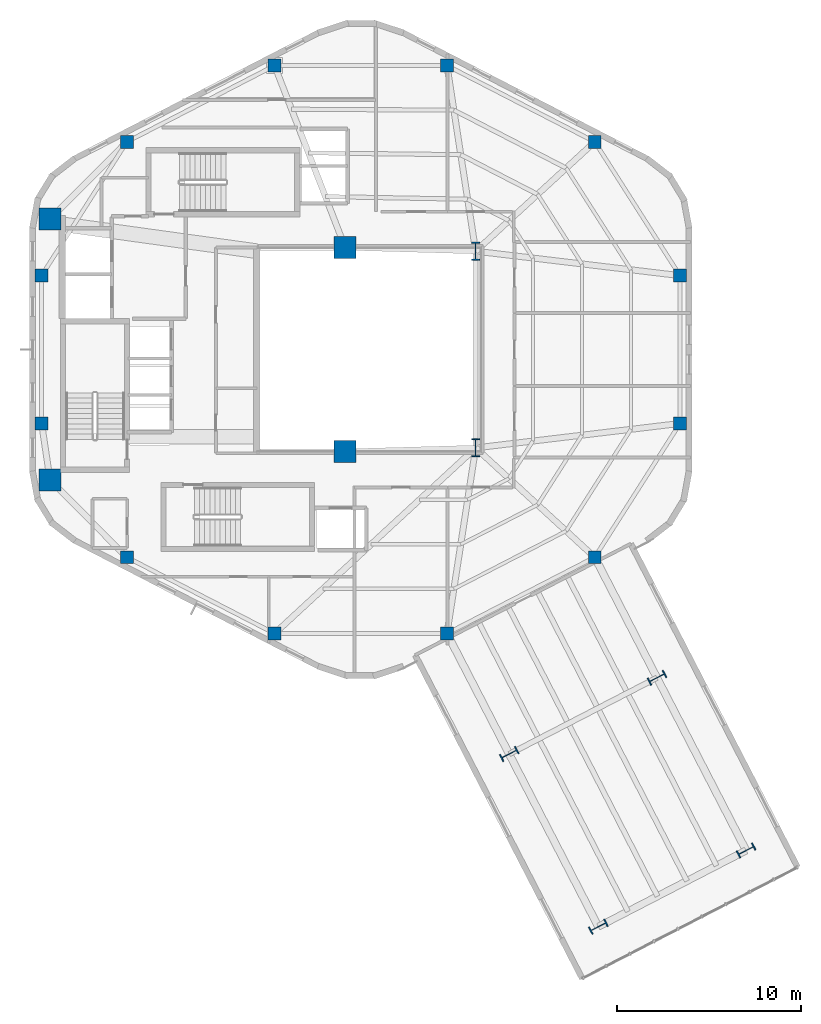
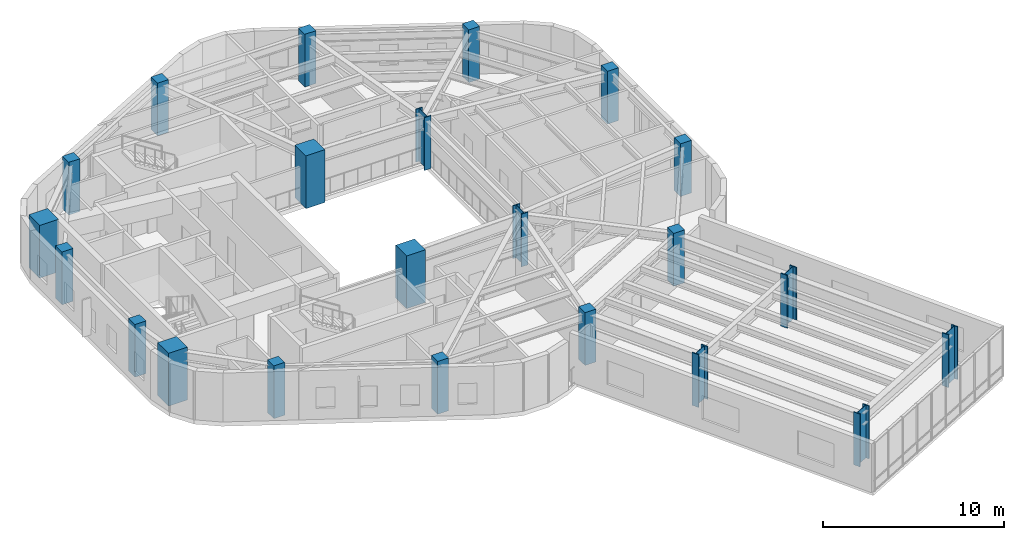
# One storey, part 1 of 11: 22 columns.
"""IFC4 building model written with IfcOpenShell, lengths in metres."""

import ifcopenshell
import ifcopenshell.guid

model = None  # the IFC model being written
_history = None  # IfcOwnerHistory: only IFC2X3 demands one
_inside = {}  # id of a spatial element -> (the spatial element, [elements in it])
_under = {}  # id of a project, library or spatial element -> (it, [spatial elements below it])
_declared = {}  # id of a project -> (the project, [libraries it declares])
_typed = {}  # id of a type object -> (the type object, [elements of that type])
_made_of = {}  # id of a material, layer set ... -> (it, [elements and type objects made of it])


def new_model(schema):
    """Start an empty IFC model of exactly this schema.

    Asked for "IFC4X3", IfcOpenShell would pick the latest addendum, in which some entities
    have other attributes; the version numbers below select the first issue.
    IFC2X3 requires an IfcOwnerHistory on every rooted entity: one is made here for all.
    """
    global model, _history
    if schema == "IFC4X3":
        model = ifcopenshell.file(schema_version=(4, 3, 0, 0))
    else:
        model = ifcopenshell.file(schema=schema)
    _inside.clear()
    _under.clear()
    _declared.clear()
    _typed.clear()
    _made_of.clear()
    _history = None
    if model.schema == "IFC2X3":
        org = make("IfcOrganization", Name="unknown")
        user = make(
            "IfcPersonAndOrganization",
            ThePerson=make("IfcPerson", FamilyName="unknown"),
            TheOrganization=org,
        )
        app = make(
            "IfcApplication",
            ApplicationDeveloper=org,
            Version="unknown",
            ApplicationFullName="unknown",
            ApplicationIdentifier="unknown",
        )
        _history = make(
            "IfcOwnerHistory",
            OwningUser=user,
            OwningApplication=app,
            ChangeAction="ADDED",
            CreationDate=0,
        )
    return model


def make(cls, **values):
    """One entity of the class cls with the attributes given. An attribute that is None is left unset."""
    return model.create_entity(
        cls, **{name: value for name, value in values.items() if value is not None}
    )


def rooted(cls, **values):
    """An entity with a GlobalId (a new one), such as an element, a storey or a relation."""
    return make(cls, GlobalId=ifcopenshell.guid.new(), OwnerHistory=_history, **values)


def si_unit(unit_type, name, prefix=None):
    """IfcSIUnit, for example si_unit("LENGTHUNIT", "METRE", prefix="MILLI")."""
    return make("IfcSIUnit", UnitType=unit_type, Prefix=prefix, Name=name)


def assignment(units):
    """IfcUnitAssignment: the units of a project."""
    return None if units is None else make("IfcUnitAssignment", Units=units)


def point(xyz):
    """IfcCartesianPoint."""
    return None if xyz is None else make("IfcCartesianPoint", Coordinates=xyz)


def direction(xyz):
    """IfcDirection."""
    return None if xyz is None else make("IfcDirection", DirectionRatios=xyz)


def frame(location, z_axis=None, x_axis=None):
    """IfcAxis2Placement3D, a coordinate frame: its origin and axes. An axis left out is left unset."""
    return make(
        "IfcAxis2Placement3D",
        Location=point(location),
        Axis=direction(z_axis),
        RefDirection=direction(x_axis),
    )


def frame_2d(location, x_axis=None):
    """IfcAxis2Placement2D, a coordinate frame in the plane: its origin and x axis."""
    return make(
        "IfcAxis2Placement2D", Location=point(location), RefDirection=direction(x_axis)
    )


def origin():
    """The frame at (0, 0, 0) with its axes left unset."""
    return frame((0.0, 0.0, 0.0))


def origin_2d():
    """The frame at (0, 0) in the plane with its x axis left unset."""
    return frame_2d((0.0, 0.0))


def place(relative_to, where):
    """IfcLocalPlacement: puts the frame where relative to a parent placement (None: the world)."""
    return make(
        "IfcLocalPlacement", PlacementRelTo=relative_to, RelativePlacement=where
    )


def context(
    kind, dimensions, precision=None, world=None, true_north=None, identifier=None
):
    """IfcGeometricRepresentationContext, for example the 3D "Model" context."""
    return make(
        "IfcGeometricRepresentationContext",
        ContextIdentifier=identifier,
        ContextType=kind,
        CoordinateSpaceDimension=dimensions,
        Precision=precision,
        WorldCoordinateSystem=world,
        TrueNorth=true_north,
    )


def subcontext(parent, identifier, kind, view, scale=None):
    """IfcGeometricRepresentationSubContext, for example "Body" below "Model"."""
    return make(
        "IfcGeometricRepresentationSubContext",
        ContextIdentifier=identifier,
        ContextType=kind,
        ParentContext=parent,
        TargetScale=scale,
        TargetView=view,
    )


def project(units=None, contexts=None):
    """IfcProject with its units and contexts."""
    return rooted(
        "IfcProject",
        Name="project",
        RepresentationContexts=contexts,
        UnitsInContext=assignment(units),
    )


def spatial(cls, under=None, at=None, **own):
    """A site, building, storey or space (cls), placed at a placement, below another one or the project."""
    s = rooted(cls, ObjectPlacement=at, **own)
    if under is not None:
        _under.setdefault(under.id(), (under, []))[1].append(s)
    return s


def profile(cls, at=None, kind="AREA", **sizes):
    """A parametric profile (cls). Its sizes go by their IFC names, for example OverallWidth=200.0."""
    return make(cls, ProfileType=kind, Position=at, **sizes)


def rectangle(**sizes):
    """IfcRectangleProfileDef."""
    return profile("IfcRectangleProfileDef", **sizes)


def i_section(**sizes):
    """IfcIShapeProfileDef."""
    return profile("IfcIShapeProfileDef", **sizes)


def extrude(swept, where, along, depth):
    """IfcExtrudedAreaSolid: the profile swept, set in the frame where, extruded along a direction by depth."""
    return make(
        "IfcExtrudedAreaSolid",
        SweptArea=swept,
        Position=where,
        ExtrudedDirection=direction(along),
        Depth=depth,
    )


def shape(context_of_items, identifier, shape_type, items):
    """IfcShapeRepresentation: the items that make up one representation, for example the "Body"."""
    return make(
        "IfcShapeRepresentation",
        ContextOfItems=context_of_items,
        RepresentationIdentifier=identifier,
        RepresentationType=shape_type,
        Items=items,
    )


def material(Name=None, Category=None):
    """IfcMaterial."""
    return make("IfcMaterial", Name=Name, Category=Category)


def material_profile(
    of_material, cross_section, Name=None, Category=None, Priority=None
):
    """IfcMaterialProfile: a cross section and its material."""
    return make(
        "IfcMaterialProfile",
        Name=Name,
        Material=of_material,
        Profile=cross_section,
        Priority=Priority,
        Category=Category,
    )


def profile_set(profiles, Name=None, composite=None):
    """IfcMaterialProfileSet."""
    return make(
        "IfcMaterialProfileSet",
        Name=Name,
        MaterialProfiles=profiles,
        CompositeProfile=composite,
    )


def made_of(thing, what):
    """Note that an element or type object is made of a material, layer set ...; save() writes the relation."""
    if what is not None:
        _made_of.setdefault(what.id(), (what, []))[1].append(thing)
    return thing


def type_object(cls, material=None, **own):
    """A type object (cls), such as IfcWallType, which elements share."""
    return made_of(rooted(cls, **own), material)


def element(
    cls,
    number,
    at=None,
    inside=None,
    cuts=None,
    type_object=None,
    material=None,
    context=None,
    identifier="Body",
    shape_type=None,
    held_by="IfcProductDefinitionShape",
    body=None,
    shapes=None,
    **own,
):
    """One element of the class cls, such as IfcWall. Its Tag is "e" and its number.

    at: its placement. inside: the storey or other place that contains it. cuts: it is an
    opening in that element (IfcRelVoidsElement). A single representation is given by context,
    identifier, shape_type and body (its items); several are given by shapes. held_by: the class
    of the entity that holds the representations. save() writes the other relations.
    """
    e = rooted(cls, Tag="e%d" % number, ObjectPlacement=at, **own)
    if body is not None:
        shapes = [shape(context, identifier, shape_type, body)]
    if shapes is not None:
        e.Representation = make(held_by, Representations=shapes)
    if inside is not None:
        _inside.setdefault(inside.id(), (inside, []))[1].append(e)
    if cuts is not None:
        rooted(
            "IfcRelVoidsElement", RelatingBuildingElement=cuts, RelatedOpeningElement=e
        )
    if type_object is not None:
        _typed.setdefault(type_object.id(), (type_object, []))[1].append(e)
    return made_of(e, material)


def aggregate(whole, parts):
    """IfcRelAggregates: a whole, such as a stair, and the parts it consists of."""
    return rooted("IfcRelAggregates", RelatingObject=whole, RelatedObjects=parts)


def save(model, path):
    """Write the relations noted so far, then the file.

    IfcRelAggregates (storeys below a building ...), IfcRelContainedInSpatialStructure (elements
    in a storey), IfcRelDefinesByType, IfcRelAssociatesMaterial and IfcRelDeclares: one each for
    every whole, place, type object, material and project.
    """
    for whole, parts in _under.values():
        aggregate(whole, parts)
    for where, things in _inside.values():
        rooted(
            "IfcRelContainedInSpatialStructure",
            RelatedElements=things,
            RelatingStructure=where,
        )
    for kind, things in _typed.values():
        rooted("IfcRelDefinesByType", RelatedObjects=things, RelatingType=kind)
    for what, things in _made_of.values():
        rooted("IfcRelAssociatesMaterial", RelatedObjects=things, RelatingMaterial=what)
    for by, libraries in _declared.values():
        rooted("IfcRelDeclares", RelatingContext=by, RelatedDefinitions=libraries)
    model.write(path)


model = new_model("IFC4")

# Units and contexts
model_context = context("Model", 3, precision=1e-05, world=origin(), true_north=direction((0.0, 1.0)))
body_context = subcontext(model_context, "Body", "Model", "MODEL_VIEW")
ifc_project = project(units=[si_unit("LENGTHUNIT", "METRE"), si_unit("AREAUNIT", "SQUARE_METRE"), si_unit("VOLUMEUNIT", "CUBIC_METRE"), si_unit("PLANEANGLEUNIT", "RADIAN"), si_unit("MASSUNIT", "GRAM", prefix="KILO"), si_unit("THERMODYNAMICTEMPERATUREUNIT", "KELVIN"), si_unit("POWERUNIT", "WATT")], contexts=[model_context])

# Site, building, storey
site_placement = place(None, origin())
site = spatial("IfcSite", under=ifc_project, at=site_placement, CompositionType="ELEMENT")
building_placement = place(site_placement, origin())
building = spatial("IfcBuilding", under=site, at=building_placement, Name="Skarre Station Tower", CompositionType="ELEMENT")
storey_placement = place(building_placement, frame((0.0, 0.0, 241.89990234375)))
storey = spatial("IfcBuildingStorey", under=building, at=storey_placement, Name="L66", CompositionType="ELEMENT", Elevation=241.89990234375)

# Columns
ifc_material_1 = material(Name="Concrete C60/75", Category="concrete")
ifc_material_profile_1 = material_profile(ifc_material_1, rectangle(XDim=1.199951171875, YDim=1.199951171875, at=origin_2d()), Name="Concrete C60/75")
ifc_profile_set_1 = profile_set([ifc_material_profile_1], Name="Concrete C60/75")
column_type_1 = type_object("IfcColumnType", Name="RC Structural Column RC-COL-1200X1200", PredefinedType="COLUMN", material=ifc_profile_set_1)
for number, where, z_axis, x_axis, name in (
    (1, (16.300048828125, 16.89990234375, 0.0), (0.0, 0.0, 1.0), (1.0, 0.0, 0.0), "L66 Core Column CC-SW"),
    (2, (16.300048828125, 31.10009765625, 0.0), (0.0, 0.0, 1.0), (1.0, 0.0, 0.0), "L66 Core Column CC-NW"),
    (3, (32.35009765625, 18.449951171875, 0.0), (0.0, 0.0, 1.0), (1.0, 0.0, 0.0), "L66 Core Column CC-SE"),
    (4, (32.35009765625, 29.550048828125, 0.0), (0.0, 0.0, 1.0), (1.0, 0.0, 0.0), "L66 Core Column CC-NE"),
):
    element("IfcColumn", number, at=place(storey_placement, frame(where, z_axis=z_axis, x_axis=x_axis)), inside=storey, type_object=column_type_1, Name=name, PredefinedType="COLUMN", context=body_context, shape_type="SweptSolid", body=[
        extrude(rectangle(XDim=1.199951171875, YDim=1.199951171875, at=origin_2d()), origin(), (0.0, 0.0, 1.0), 3.550048828125),
    ])
ifc_material_2 = material(Name="Concrete C50/60", Category="concrete")
ifc_material_profile_2 = material_profile(ifc_material_2, rectangle(XDim=0.699951171875, YDim=0.699951171875, at=origin_2d()), Name="Concrete C50/60")
ifc_profile_set_2 = profile_set([ifc_material_profile_2], Name="Concrete C50/60")
column_type_2 = type_object("IfcColumnType", Name="RC Structural Column RC-COL-700X700", PredefinedType="COLUMN", material=ifc_profile_set_2)
for number, where, z_axis, x_axis, name in (
    (5, (45.927001953125, 35.298095703125, 0.0), (0.0, 0.0, 1.0), (1.0, 0.0, 0.0), "L66 Zone 4 Perimeter Column F0C1"),
    (6, (37.888916015625, 39.447021484375, 0.0), (0.0, 0.0, 1.0), (1.0, 0.0, 0.0), "L66 Zone 4 Perimeter Column F0C2"),
    (7, (28.510986328125, 39.447021484375, 0.0), (0.0, 0.0, 1.0), (1.0, 0.0, 0.0), "L66 Zone 4 Perimeter Column F1C1"),
    (8, (20.472900390625, 35.298095703125, 0.0), (0.0, 0.0, 1.0), (1.0, 0.0, 0.0), "L66 Zone 4 Perimeter Column F1C2"),
    (9, (15.8369140625, 28.02099609375, 0.0), (0.0, 0.0, 1.0), (1.0, 0.0, 0.0), "L66 Zone 4 Perimeter Column F2C1"),
    (10, (15.8369140625, 19.97900390625, 0.0), (0.0, 0.0, 1.0), (1.0, 0.0, 0.0), "L66 Zone 4 Perimeter Column F2C2"),
    (11, (20.472900390625, 12.701904296875, 0.0), (0.0, 0.0, 1.0), (1.0, 0.0, 0.0), "L66 Zone 4 Perimeter Column F3C1"),
    (12, (28.510986328125, 8.552978515625, 0.0), (0.0, 0.0, 1.0), (1.0, 0.0, 0.0), "L66 Zone 4 Perimeter Column F3C2"),
    (13, (37.888916015625, 8.552978515625, 0.0), (0.0, 0.0, 1.0), (1.0, 0.0, 0.0), "L66 Zone 4 Perimeter Column F4C1"),
    (14, (45.927001953125, 12.701904296875, 0.0), (0.0, 0.0, 1.0), (1.0, 0.0, 0.0), "L66 Zone 4 Perimeter Column F4C2"),
    (15, (50.56298828125, 19.97900390625, 0.0), (0.0, 0.0, 1.0), (1.0, 0.0, 0.0), "L66 Zone 4 Perimeter Column F5C1"),
    (16, (50.56298828125, 28.02099609375, 0.0), (0.0, 0.0, 1.0), (1.0, 0.0, 0.0), "L66 Zone 4 Perimeter Column F5C2"),
):
    element("IfcColumn", number, at=place(storey_placement, frame(where, z_axis=z_axis, x_axis=x_axis)), inside=storey, type_object=column_type_2, Name=name, PredefinedType="COLUMN", context=body_context, shape_type="SweptSolid", body=[
        extrude(rectangle(XDim=0.699951171875, YDim=0.699951171875, at=origin_2d()), origin(), (0.0, 0.0, 1.0), 3.550048828125),
    ])
ifc_material_3 = material(Name="Steel ASTM A913 Grade 65", Category="steel")
ifc_material_profile_3 = material_profile(ifc_material_3, i_section(OverallWidth=0.430908203125, OverallDepth=0.987060546875, WebThickness=0.033935546875, FlangeThickness=0.06201171875, at=origin_2d()), Name="Steel ASTM A913 Grade 65")
ifc_profile_set_3 = profile_set([ifc_material_profile_3], Name="Steel ASTM A913 Grade 65")
column_type_3 = type_object("IfcColumnType", Name="Steel Column W36X441", PredefinedType="COLUMN", material=ifc_profile_set_3)
for number, where, z_axis, x_axis, name in (
    (17, (39.449951171875, 18.64990234375, 0.0), (0.0, 0.0, 1.0), (1.0, 0.0, 0.0), "L66 Atrium Spine Column AC-SE"),
    (18, (39.449951171875, 29.35009765625, 0.0), (0.0, 0.0, 1.0), (1.0, 0.0, 0.0), "L66 Atrium Spine Column AC-NE"),
    (19, (41.27392578125, 1.9951171875, 0.0), (0.0, 0.0, 1.0), (0.458711590553, -0.88858521071, 0.0), "L66 SB-5 Sky-Bar Frame Column M1"),
    (20, (49.31201171875, 6.14404296875, 0.0), (0.0, 0.0, 1.0), (0.458711590553, -0.88858521071, 0.0), "L66 SB-5 Sky-Bar Frame Column M2"),
    (21, (46.123046875, -7.39697265625, 0.0), (0.0, 0.0, 1.0), (0.458711590553, -0.88858521071, 0.0), "L66 SB-5 Sky-Bar Frame Column T1"),
    (22, (54.160888671875, -3.248046875, 0.0), (0.0, 0.0, 1.0), (0.458711590553, -0.88858521071, 0.0), "L66 SB-5 Sky-Bar Frame Column T2"),
):
    element("IfcColumn", number, at=place(storey_placement, frame(where, z_axis=z_axis, x_axis=x_axis)), inside=storey, type_object=column_type_3, Name=name, PredefinedType="COLUMN", context=body_context, shape_type="SweptSolid", body=[
        extrude(i_section(OverallWidth=0.430908203125, OverallDepth=0.987060546875, WebThickness=0.033935546875, FlangeThickness=0.06201171875, at=origin_2d()), origin(), (0.0, 0.0, 1.0), 3.550048828125),
    ])

save(model, "model.ifc")
